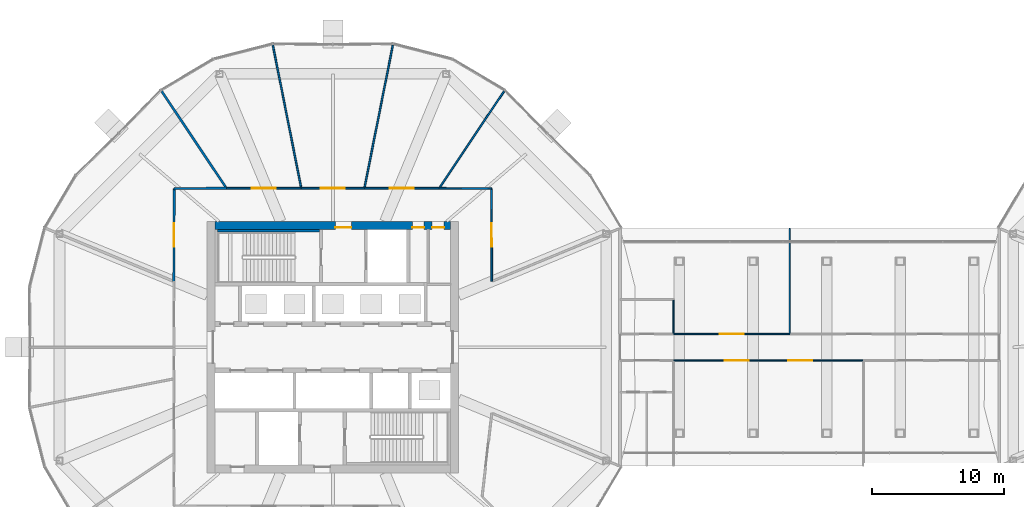
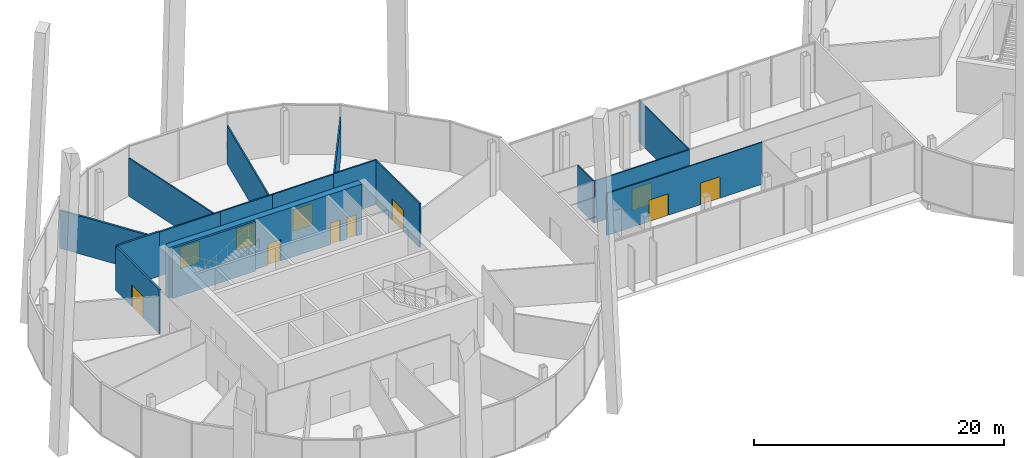
# One storey, part 21 of 28: 17 walls, 11 doors, 11 openings.
"""IFC4 building model written with IfcOpenShell, lengths in metres."""

from ifc_helpers import new_model, si_unit, direction, frame, frame_2d, origin, place, context, subcontext, project, spatial, rectangle, extrude, material, layer, layer_set, type_object, element, fill, save


model = new_model("IFC4")

# Units and contexts
model_context = context("Model", 3, precision=1e-05, world=origin(), true_north=direction((0.0, 1.0)))
body_context = subcontext(model_context, "Body", "Model", "MODEL_VIEW")
ifc_project = project(units=[si_unit("LENGTHUNIT", "METRE"), si_unit("AREAUNIT", "SQUARE_METRE"), si_unit("VOLUMEUNIT", "CUBIC_METRE"), si_unit("PLANEANGLEUNIT", "RADIAN"), si_unit("MASSUNIT", "GRAM", prefix="KILO")], contexts=[model_context])

# Site, building, storey
site_placement = place(None, origin())
site = spatial("IfcSite", under=ifc_project, at=site_placement, CompositionType="ELEMENT")
building_placement = place(site_placement, origin())
building = spatial("IfcBuilding", under=site, at=building_placement, Name="Ogive Gate Towers", CompositionType="ELEMENT")
storey_placement = place(building_placement, frame((0.0, 0.0, 135.60009765625)))
storey = spatial("IfcBuildingStorey", under=building, at=storey_placement, Name="L32", CompositionType="ELEMENT", Elevation=135.60009765625)

# Wall
ifc_material_1 = material(Name="Gypsum board acoustic partition")
ifc_layer_1 = layer(ifc_material_1, 0.175048828125)
ifc_layer_set_1 = layer_set([ifc_layer_1], Name="Acoustic partition 175")
wall_type_1 = type_object("IfcWallType", Name="Acoustic partition 175", PredefinedType="PARTITIONING", material=ifc_layer_set_1)
wall_1_placement = place(storey_placement, frame((-48.934326171875, 19.343505859375, 0.0), z_axis=(0.0, 0.0, 1.0), x_axis=(0.555866214077, -0.831271767864, 0.0)))
element("IfcWall", 1, at=wall_1_placement, inside=storey, type_object=wall_type_1, Name="Partition T1-L32-005", PredefinedType="PARTITIONING", context=body_context, shape_type="SweptSolid", body=[
    extrude(rectangle(XDim=8.741455078125, YDim=0.175048828125, at=frame_2d((4.37060546875, 0.0))), origin(), (0.0, 0.0, 1.0), 3.699951171875),
])

# Wall, opening, door
wall_2_placement = place(storey_placement, frame((-47.97998046875, 11.97998046875, 0.0), z_axis=(0.0, 0.0, 1.0), x_axis=(-0.00316994262, -0.999994975719, 0.0)))
wall_2 = element("IfcWall", 2, at=wall_2_placement, inside=storey, type_object=wall_type_1, Name="Partition T1-L32-021", PredefinedType="PARTITIONING", context=body_context, shape_type="SweptSolid", body=[
    extrude(rectangle(XDim=7.008544921875, YDim=0.175048828125, at=frame_2d((3.50439453125, 0.0))), origin(), (0.0, 0.0, 1.0), 4.2998046875),
])
opening_1_placement = place(wall_2_placement, frame((2.60400390625, 0.0, 0.0)))
opening_1 = element("IfcOpeningElement", 3, at=opening_1_placement, cuts=wall_2, Name="Opening T1-L32-D05", PredefinedType="OPENING", context=body_context, shape_type="SweptSolid", body=[
    extrude(rectangle(XDim=1.800048828125, YDim=2.10009765625, at=frame_2d((0.89990234375, 1.050048828125))), frame((0.0, 0.09765625, 0.0), z_axis=(0.0, -1.0, 0.0), x_axis=(1.0, 0.0, 0.0)), (0.0, 0.0, 1.0), 0.195068359375),
])
ifc_material_2 = material(Name="Timber door", Category="wood")
door_type_1 = type_object("IfcDoorType", Name="Door pair 1800", OperationType="NOTDEFINED", PredefinedType="DOOR", material=ifc_material_2)
door_1_placement = place(opening_1_placement, origin())
door_1 = element("IfcDoor", 4, at=door_1_placement, inside=storey, type_object=door_type_1, Name="Door T1-L32-D05", OperationType="DOUBLE_DOOR_DOUBLE_SWING", OverallHeight=2.10009765625, OverallWidth=1.800048828125, PredefinedType="DOOR", context=body_context, shape_type="SweptSolid", body=[
    extrude(rectangle(XDim=1.800048828125, YDim=2.10009765625, at=frame_2d((0.89990234375, 1.050048828125))), frame((0.0, 0.02490234375, 0.0), z_axis=(0.0, -1.0, 0.0), x_axis=(1.0, 0.0, 0.0)), (0.0, 0.0, 1.0), 0.050048828125),
])
fill(opening_1, door_1)

# Wall
wall_3_placement = place(storey_placement, frame((-44.026611328125, 12.004150390625, 0.0), z_axis=(0.0, 0.0, 1.0), x_axis=(-0.999981311537, -0.0061136386, 0.0)))
element("IfcWall", 5, at=wall_3_placement, inside=storey, type_object=wall_type_1, Name="Partition T1-L32-022", PredefinedType="PARTITIONING", context=body_context, shape_type="SweptSolid", body=[
    extrude(rectangle(XDim=3.953369140625, YDim=0.175048828125, at=frame_2d((1.9765625, 0.0))), origin(), (0.0, 0.0, 1.0), 4.349853515625),
])

# Wall, openings, doors
ifc_material_3 = material(Name="Concrete C60/75", Category="concrete")
ifc_layer_2 = layer(ifc_material_3, 0.60009765625)
ifc_layer_set_2 = layer_set([ifc_layer_2], Name="Core wall 600 mm")
wall_type_2 = type_object("IfcWallType", Name="Core wall 600 mm", PredefinedType="SHEAR", material=ifc_layer_set_2)
wall_4_placement = place(storey_placement, frame((-44.89990234375, 9.199951171875, 0.0), z_axis=(0.0, 0.0, 1.0), x_axis=(1.0, 0.0, 0.0)))
wall_4 = element("IfcWall", 6, at=wall_4_placement, inside=storey, type_object=wall_type_2, Name="T1 L32 Core wall 600 mm", PredefinedType="SHEAR", context=body_context, shape_type="SweptSolid", body=[
    extrude(rectangle(XDim=17.7998046875, YDim=0.60009765625, at=frame_2d((8.89990234375, 0.0))), origin(), (0.0, 0.0, 1.0), 4.89990234375),
])
opening_2_placement = place(wall_4_placement, frame((9.10009765625, 0.0, 0.0)))
opening_2 = element("IfcOpeningElement", 7, at=opening_2_placement, cuts=wall_4, Name="Opening KD-T1-L32-20", PredefinedType="OPENING", context=body_context, shape_type="SweptSolid", body=[
    extrude(rectangle(XDim=1.199951171875, YDim=2.10009765625, at=frame_2d((0.60009765625, 1.050048828125))), frame((0.0, 0.31005859375, 0.0), z_axis=(0.0, -1.0, 0.0), x_axis=(1.0, 0.0, 0.0)), (0.0, 0.0, 1.0), 0.6201171875),
])
opening_3_placement = place(wall_4_placement, frame((14.89990234375, 0.0, 0.0)))
opening_3 = element("IfcOpeningElement", 8, at=opening_3_placement, cuts=wall_4, Name="Opening KD-T1-L32-22", PredefinedType="OPENING", context=body_context, shape_type="SweptSolid", body=[
    extrude(rectangle(XDim=0.89990234375, YDim=2.10009765625, at=frame_2d((0.449951171875, 1.050048828125))), frame((0.0, 0.31005859375, 0.0), z_axis=(0.0, -1.0, 0.0), x_axis=(1.0, 0.0, 0.0)), (0.0, 0.0, 1.0), 0.6201171875),
])
opening_4_placement = place(wall_4_placement, frame((16.39990234375, 0.0, 0.0)))
opening_4 = element("IfcOpeningElement", 9, at=opening_4_placement, cuts=wall_4, Name="Opening KD-T1-L32-23", PredefinedType="OPENING", context=body_context, shape_type="SweptSolid", body=[
    extrude(rectangle(XDim=0.89990234375, YDim=2.10009765625, at=frame_2d((0.449951171875, 1.050048828125))), frame((0.0, 0.31005859375, 0.0), z_axis=(0.0, -1.0, 0.0), x_axis=(1.0, 0.0, 0.0)), (0.0, 0.0, 1.0), 0.6201171875),
])
door_type_2 = type_object("IfcDoorType", Name="Core WC door 900 x 2100", OperationType="NOTDEFINED", PredefinedType="DOOR", material=ifc_material_2)
door_2_placement = place(opening_3_placement, origin())
door_2 = element("IfcDoor", 10, at=door_2_placement, inside=storey, type_object=door_type_2, Name="T1 L32 Core door", OperationType="SINGLE_SWING_LEFT", OverallHeight=2.10009765625, OverallWidth=0.89990234375, PredefinedType="DOOR", context=body_context, shape_type="SweptSolid", body=[
    extrude(rectangle(XDim=0.89990234375, YDim=2.10009765625, at=frame_2d((0.449951171875, 1.050048828125))), frame((0.0, -0.125, 0.0), z_axis=(0.0, -1.0, 0.0), x_axis=(1.0, 0.0, 0.0)), (0.0, 0.0, 1.0), 0.050048828125),
])
fill(opening_3, door_2)
door_3_placement = place(opening_4_placement, origin())
door_3 = element("IfcDoor", 11, at=door_3_placement, inside=storey, type_object=door_type_2, Name="T1 L32 Core door", OperationType="SINGLE_SWING_RIGHT", OverallHeight=2.10009765625, OverallWidth=0.89990234375, PredefinedType="DOOR", context=body_context, shape_type="SweptSolid", body=[
    extrude(rectangle(XDim=0.89990234375, YDim=2.10009765625, at=frame_2d((0.449951171875, 1.050048828125))), frame((0.0, -0.125, 0.0), z_axis=(0.0, -1.0, 0.0), x_axis=(1.0, 0.0, 0.0)), (0.0, 0.0, 1.0), 0.050048828125),
])
fill(opening_4, door_3)
ifc_material_4 = material(Name="Steel fire door", Category="steel")
door_type_3 = type_object("IfcDoorType", Name="Core door FD60S 1200 x 2100", OperationType="NOTDEFINED", PredefinedType="DOOR", material=ifc_material_4)
door_4_placement = place(opening_2_placement, origin())
door_4 = element("IfcDoor", 12, at=door_4_placement, inside=storey, type_object=door_type_3, Name="T1 L32 Fire-fighting lobby door", OperationType="SINGLE_SWING_LEFT", OverallHeight=2.10009765625, OverallWidth=1.199951171875, PredefinedType="DOOR", context=body_context, shape_type="SweptSolid", body=[
    extrude(rectangle(XDim=1.199951171875, YDim=2.10009765625, at=frame_2d((0.60009765625, 1.050048828125))), frame((0.0, -0.125, 0.0), z_axis=(0.0, -1.0, 0.0), x_axis=(1.0, 0.0, 0.0)), (0.0, 0.0, 1.0), 0.050048828125),
])
fill(opening_2, door_4)

# Walls
ifc_material_5 = material(Name="Gypsum board partition")
ifc_layer_3 = layer(ifc_material_5, 0.125)
ifc_layer_set_3 = layer_set([ifc_layer_3], Name="Partition 125")
wall_type_3 = type_object("IfcWallType", Name="Partition 125", PredefinedType="PARTITIONING", material=ifc_layer_set_3)
wall_5_placement = place(storey_placement, frame((-23.065673828125, 19.343505859375, 0.0), z_axis=(0.0, 0.0, 1.0), x_axis=(-0.555869313022, -0.831269695611, 0.0)))
element("IfcWall", 13, at=wall_5_placement, inside=storey, type_object=wall_type_3, Name="Partition T1-L32-002", PredefinedType="PARTITIONING", context=body_context, shape_type="SweptSolid", body=[
    extrude(rectangle(XDim=8.7666015625, YDim=0.125, at=frame_2d((4.38330078125, 0.0))), origin(), (0.0, 0.0, 1.0), 3.699951171875),
])
for number, where, z_axis, x_axis, name in (
    (14, (-31.468017578125, 22.823974609375, 0.0), (0.0, 0.0, 1.0), (-0.194750240969, -0.98085286544, 0.0), "Partition T1-L32-003"),
    (15, (-40.531982421875, 22.823974609375, 0.0), (0.0, 0.0, 1.0), (0.194750240969, -0.98085286544, 0.0), "Partition T1-L32-004"),
):
    element("IfcWall", number, at=place(storey_placement, frame(where, z_axis=z_axis, x_axis=x_axis)), inside=storey, type_object=wall_type_3, Name=name, PredefinedType="PARTITIONING", context=body_context, shape_type="SweptSolid", body=[
        extrude(rectangle(XDim=10.966552734375, YDim=0.125, at=frame_2d((5.4833984375, 0.0))), origin(), (0.0, 0.0, 1.0), 3.699951171875),
    ])

# Wall, opening, door
wall_6_placement = place(storey_placement, frame((-23.997802734375, 4.971435546875, 0.0), z_axis=(0.0, 0.0, 1.0), x_axis=(-0.00316994262, 0.999994975719, 0.0)))
wall_6 = element("IfcWall", 16, at=wall_6_placement, inside=storey, type_object=wall_type_3, Name="Partition T1-L32-016", PredefinedType="PARTITIONING", context=body_context, shape_type="SweptSolid", body=[
    extrude(rectangle(XDim=7.008544921875, YDim=0.125, at=frame_2d((3.50439453125, 0.0))), origin(), (0.0, 0.0, 1.0), 4.2998046875),
])
opening_5_placement = place(wall_6_placement, frame((2.60400390625, 0.0, 0.0)))
opening_5 = element("IfcOpeningElement", 17, at=opening_5_placement, cuts=wall_6, Name="Opening T1-L32-D01", PredefinedType="OPENING", context=body_context, shape_type="SweptSolid", body=[
    extrude(rectangle(XDim=1.800048828125, YDim=2.10009765625, at=frame_2d((0.89990234375, 1.050048828125))), frame((0.0, 0.072509765625, 0.0), z_axis=(0.0, -1.0, 0.0), x_axis=(1.0, 0.0, 0.0)), (0.0, 0.0, 1.0), 0.14501953125),
])
door_5_placement = place(opening_5_placement, origin())
door_5 = element("IfcDoor", 18, at=door_5_placement, inside=storey, type_object=door_type_1, Name="Door T1-L32-D01", OperationType="DOUBLE_DOOR_DOUBLE_SWING", OverallHeight=2.10009765625, OverallWidth=1.800048828125, PredefinedType="DOOR", context=body_context, shape_type="SweptSolid", body=[
    extrude(rectangle(XDim=1.800048828125, YDim=2.10009765625, at=frame_2d((0.89990234375, 1.050048828125))), frame((0.0, 0.02490234375, 0.0), z_axis=(0.0, -1.0, 0.0), x_axis=(1.0, 0.0, 0.0)), (0.0, 0.0, 1.0), 0.050048828125),
])
fill(opening_5, door_5)

# Wall
wall_7_placement = place(storey_placement, frame((-24.02001953125, 11.97998046875, 0.0), z_axis=(0.0, 0.0, 1.0), x_axis=(-0.999981311537, 0.0061136386, 0.0)))
element("IfcWall", 19, at=wall_7_placement, inside=storey, type_object=wall_type_3, Name="Partition T1-L32-017", PredefinedType="PARTITIONING", context=body_context, shape_type="SweptSolid", body=[
    extrude(rectangle(XDim=3.953369140625, YDim=0.125, at=frame_2d((1.9765625, 0.0))), origin(), (0.0, 0.0, 1.0), 4.349853515625),
])

# Wall, opening, door
wall_8_placement = place(storey_placement, frame((-27.973388671875, 12.004150390625, 0.0), z_axis=(0.0, 0.0, 1.0), x_axis=(-0.999999940093, 0.000346140512, 0.0)))
wall_8 = element("IfcWall", 20, at=wall_8_placement, inside=storey, type_object=wall_type_3, Name="Partition T1-L32-018", PredefinedType="PARTITIONING", context=body_context, shape_type="SweptSolid", body=[
    extrude(rectangle(XDim=5.642578125, YDim=0.125, at=frame_2d((2.8212890625, 0.0))), origin(), (0.0, 0.0, 1.0), 4.2998046875),
])
opening_6_placement = place(wall_8_placement, frame((1.9208984375, 0.0, 0.0)))
opening_6 = element("IfcOpeningElement", 21, at=opening_6_placement, cuts=wall_8, Name="Opening T1-L32-D02", PredefinedType="OPENING", context=body_context, shape_type="SweptSolid", body=[
    extrude(rectangle(XDim=1.800048828125, YDim=2.10009765625, at=frame_2d((0.89990234375, 1.050048828125))), frame((0.0, 0.072509765625, 0.0), z_axis=(0.0, -1.0, 0.0), x_axis=(1.0, 0.0, 0.0)), (0.0, 0.0, 1.0), 0.14501953125),
])
door_6_placement = place(opening_6_placement, origin())
door_6 = element("IfcDoor", 22, at=door_6_placement, inside=storey, type_object=door_type_1, Name="Door T1-L32-D02", OperationType="DOUBLE_DOOR_DOUBLE_SWING", OverallHeight=2.10009765625, OverallWidth=1.800048828125, PredefinedType="DOOR", context=body_context, shape_type="SweptSolid", body=[
    extrude(rectangle(XDim=1.800048828125, YDim=2.10009765625, at=frame_2d((0.89990234375, 1.050048828125))), frame((0.0, 0.02490234375, 0.0), z_axis=(0.0, -1.0, 0.0), x_axis=(1.0, 0.0, 0.0)), (0.0, 0.0, 1.0), 0.050048828125),
])
fill(opening_6, door_6)

wall_9_placement = place(storey_placement, frame((-33.615966796875, 12.006103515625, 0.0), z_axis=(0.0, 0.0, 1.0), x_axis=(-1.0, 0.0, 0.0)))
wall_9 = element("IfcWall", 23, at=wall_9_placement, inside=storey, type_object=wall_type_3, Name="Partition T1-L32-019", PredefinedType="PARTITIONING", context=body_context, shape_type="SweptSolid", body=[
    extrude(rectangle(XDim=4.76806640625, YDim=0.125, at=frame_2d((2.384033203125, 0.0))), origin(), (0.0, 0.0, 1.0), 4.2998046875),
])
opening_7_placement = place(wall_9_placement, frame((1.48388671875, 0.0, 0.0)))
opening_7 = element("IfcOpeningElement", 24, at=opening_7_placement, cuts=wall_9, Name="Opening T1-L32-D03", PredefinedType="OPENING", context=body_context, shape_type="SweptSolid", body=[
    extrude(rectangle(XDim=1.800048828125, YDim=2.10009765625, at=frame_2d((0.89990234375, 1.050048828125))), frame((0.0, 0.072509765625, 0.0), z_axis=(0.0, -1.0, 0.0), x_axis=(1.0, 0.0, 0.0)), (0.0, 0.0, 1.0), 0.14501953125),
])
door_7_placement = place(opening_7_placement, origin())
door_7 = element("IfcDoor", 25, at=door_7_placement, inside=storey, type_object=door_type_1, Name="Door T1-L32-D03", OperationType="DOUBLE_DOOR_DOUBLE_SWING", OverallHeight=2.10009765625, OverallWidth=1.800048828125, PredefinedType="DOOR", context=body_context, shape_type="SweptSolid", body=[
    extrude(rectangle(XDim=1.800048828125, YDim=2.10009765625, at=frame_2d((0.89990234375, 1.050048828125))), frame((0.0, 0.02490234375, 0.0), z_axis=(0.0, -1.0, 0.0), x_axis=(1.0, 0.0, 0.0)), (0.0, 0.0, 1.0), 0.050048828125),
])
fill(opening_7, door_7)

wall_10_placement = place(storey_placement, frame((-38.384033203125, 12.006103515625, 0.0), z_axis=(0.0, 0.0, 1.0), x_axis=(-0.999999940093, -0.000346140512, 0.0)))
wall_10 = element("IfcWall", 26, at=wall_10_placement, inside=storey, type_object=wall_type_3, Name="Partition T1-L32-020", PredefinedType="PARTITIONING", context=body_context, shape_type="SweptSolid", body=[
    extrude(rectangle(XDim=5.642578125, YDim=0.125, at=frame_2d((2.8212890625, 0.0))), origin(), (0.0, 0.0, 1.0), 4.2998046875),
])
opening_8_placement = place(wall_10_placement, frame((1.9208984375, 0.0, 0.0)))
opening_8 = element("IfcOpeningElement", 27, at=opening_8_placement, cuts=wall_10, Name="Opening T1-L32-D04", PredefinedType="OPENING", context=body_context, shape_type="SweptSolid", body=[
    extrude(rectangle(XDim=1.800048828125, YDim=2.10009765625, at=frame_2d((0.89990234375, 1.050048828125))), frame((0.0, 0.072509765625, 0.0), z_axis=(0.0, -1.0, 0.0), x_axis=(1.0, 0.0, 0.0)), (0.0, 0.0, 1.0), 0.14501953125),
])
door_8_placement = place(opening_8_placement, origin())
door_8 = element("IfcDoor", 28, at=door_8_placement, inside=storey, type_object=door_type_1, Name="Door T1-L32-D04", OperationType="DOUBLE_DOOR_DOUBLE_SWING", OverallHeight=2.10009765625, OverallWidth=1.800048828125, PredefinedType="DOOR", context=body_context, shape_type="SweptSolid", body=[
    extrude(rectangle(XDim=1.800048828125, YDim=2.10009765625, at=frame_2d((0.89990234375, 1.050048828125))), frame((0.0, 0.02490234375, 0.0), z_axis=(0.0, -1.0, 0.0), x_axis=(1.0, 0.0, 0.0)), (0.0, 0.0, 1.0), 0.050048828125),
])
fill(opening_8, door_8)

ifc_layer_4 = layer(ifc_material_5, 0.10009765625)
ifc_layer_set_4 = layer_set([ifc_layer_4], Name="Partition wall 100")
wall_type_4 = type_object("IfcWallType", Name="Partition wall 100", PredefinedType="PARTITIONING", material=ifc_layer_set_4)
wall_11_placement = place(storey_placement, frame((-10.280517578125, 1.0, 0.0), z_axis=(0.0, 0.0, 1.0), x_axis=(1.0, 0.0, 0.0)))
wall_11 = element("IfcWall", 29, at=wall_11_placement, inside=storey, type_object=wall_type_4, Name="L32 partition 003", PredefinedType="PARTITIONING", context=body_context, shape_type="SweptSolid", body=[
    extrude(rectangle(XDim=8.78466796875, YDim=0.10009765625, at=frame_2d((4.392333984375, 0.0))), origin(), (0.0, 0.0, 1.0), 4.099853515625),
])
opening_9_placement = place(wall_11_placement, frame((3.492431640625, 0.0, 0.0)))
opening_9 = element("IfcOpeningElement", 30, at=opening_9_placement, cuts=wall_11, Name="Opening PO219", PredefinedType="OPENING", context=body_context, shape_type="SweptSolid", body=[
    extrude(rectangle(XDim=1.800048828125, YDim=2.10009765625, at=frame_2d((0.89990234375, 1.050048828125))), frame((0.0, 0.06005859375, 0.0), z_axis=(0.0, -1.0, 0.0), x_axis=(1.0, 0.0, 0.0)), (0.0, 0.0, 1.0), 0.1201171875),
])
door_type_4 = type_object("IfcDoorType", Name="Double door 1800 x 2100", OperationType="NOTDEFINED", PredefinedType="DOOR", material=ifc_material_2)
door_9_placement = place(opening_9_placement, origin())
door_9 = element("IfcDoor", 31, at=door_9_placement, inside=storey, type_object=door_type_4, Name="Door PO219", OperationType="DOUBLE_DOOR_DOUBLE_SWING", OverallHeight=2.10009765625, OverallWidth=1.800048828125, PredefinedType="DOOR", context=body_context, shape_type="SweptSolid", body=[
    extrude(rectangle(XDim=1.800048828125, YDim=2.10009765625, at=frame_2d((0.89990234375, 1.050048828125))), frame((0.0, 0.02490234375, 0.0), z_axis=(0.0, -1.0, 0.0), x_axis=(1.0, 0.0, 0.0)), (0.0, 0.0, 1.0), 0.050048828125),
])
fill(opening_9, door_9)

# Wall, openings, doors
wall_12_placement = place(storey_placement, frame((-10.280517578125, -1.0, 0.0), z_axis=(0.0, 0.0, 1.0), x_axis=(1.0, 0.0, 0.0)))
wall_12 = element("IfcWall", 32, at=wall_12_placement, inside=storey, type_object=wall_type_4, Name="L32 partition 005", PredefinedType="PARTITIONING", context=body_context, shape_type="SweptSolid", body=[
    extrude(rectangle(XDim=14.34130859375, YDim=0.10009765625, at=frame_2d((7.170654296875, 0.0))), origin(), (0.0, 0.0, 1.0), 4.099853515625),
])
opening_10_placement = place(wall_12_placement, frame((3.88232421875, 0.0, 0.0)))
opening_10 = element("IfcOpeningElement", 33, at=opening_10_placement, cuts=wall_12, Name="Opening PO222", PredefinedType="OPENING", context=body_context, shape_type="SweptSolid", body=[
    extrude(rectangle(XDim=1.800048828125, YDim=2.10009765625, at=frame_2d((0.89990234375, 1.050048828125))), frame((0.0, 0.06005859375, 0.0), z_axis=(0.0, -1.0, 0.0), x_axis=(1.0, 0.0, 0.0)), (0.0, 0.0, 1.0), 0.1201171875),
])
opening_11_placement = place(wall_12_placement, frame((8.65869140625, 0.0, 0.0)))
opening_11 = element("IfcOpeningElement", 34, at=opening_11_placement, cuts=wall_12, Name="Opening PO223", PredefinedType="OPENING", context=body_context, shape_type="SweptSolid", body=[
    extrude(rectangle(XDim=1.800048828125, YDim=2.10009765625, at=frame_2d((0.89990234375, 1.050048828125))), frame((0.0, 0.06005859375, 0.0), z_axis=(0.0, -1.0, 0.0), x_axis=(1.0, 0.0, 0.0)), (0.0, 0.0, 1.0), 0.1201171875),
])
door_10_placement = place(opening_10_placement, origin())
door_10 = element("IfcDoor", 35, at=door_10_placement, inside=storey, type_object=door_type_4, Name="Door PO222", OperationType="DOUBLE_DOOR_DOUBLE_SWING", OverallHeight=2.10009765625, OverallWidth=1.800048828125, PredefinedType="DOOR", context=body_context, shape_type="SweptSolid", body=[
    extrude(rectangle(XDim=1.800048828125, YDim=2.10009765625, at=frame_2d((0.89990234375, 1.050048828125))), frame((0.0, 0.02490234375, 0.0), z_axis=(0.0, -1.0, 0.0), x_axis=(1.0, 0.0, 0.0)), (0.0, 0.0, 1.0), 0.050048828125),
])
fill(opening_10, door_10)
door_11_placement = place(opening_11_placement, origin())
door_11 = element("IfcDoor", 36, at=door_11_placement, inside=storey, type_object=door_type_4, Name="Door PO223", OperationType="DOUBLE_DOOR_DOUBLE_SWING", OverallHeight=2.10009765625, OverallWidth=1.800048828125, PredefinedType="DOOR", context=body_context, shape_type="SweptSolid", body=[
    extrude(rectangle(XDim=1.800048828125, YDim=2.10009765625, at=frame_2d((0.89990234375, 1.050048828125))), frame((0.0, 0.02490234375, 0.0), z_axis=(0.0, -1.0, 0.0), x_axis=(1.0, 0.0, 0.0)), (0.0, 0.0, 1.0), 0.050048828125),
])
fill(opening_11, door_11)

# Walls
wall_13_placement = place(storey_placement, frame((-10.280517578125, 1.050048828125, 0.0), z_axis=(0.0, 0.0, 1.0), x_axis=(0.0, 1.0, 0.0)))
element("IfcWall", 37, at=wall_13_placement, inside=storey, type_object=wall_type_4, Name="L32 partition 013", PredefinedType="PARTITIONING", context=body_context, shape_type="SweptSolid", body=[
    extrude(rectangle(XDim=2.5, YDim=0.10009765625, at=frame_2d((1.25, 0.0))), origin(), (0.0, 0.0, 1.0), 4.099853515625),
])
wall_14_placement = place(storey_placement, frame((-1.495849609375, 1.050048828125, 0.0), z_axis=(0.0, 0.0, 1.0), x_axis=(0.0, 1.0, 0.0)))
element("IfcWall", 38, at=wall_14_placement, inside=storey, type_object=wall_type_4, Name="L32 partition 014", PredefinedType="PARTITIONING", context=body_context, shape_type="SweptSolid", body=[
    extrude(rectangle(XDim=7.931640625, YDim=0.10009765625, at=frame_2d((3.9658203125, 0.0))), origin(), (0.0, 0.0, 1.0), 4.099853515625),
])
ifc_layer_5 = layer(ifc_material_3, 0.199951171875)
ifc_layer_set_5 = layer_set([ifc_layer_5], Name="Stair wall 200 mm")
wall_type_5 = type_object("IfcWallType", Name="Stair wall 200 mm", PredefinedType="SHEAR", material=ifc_layer_set_5)
wall_15_placement = place(storey_placement, frame((-44.699951171875, 8.800048828125, 0.0), z_axis=(0.0, 0.0, 1.0), x_axis=(1.0, 0.0, 0.0)))
element("IfcWall", 39, at=wall_15_placement, inside=storey, type_object=wall_type_5, Name="T1 L32 Stair wall 200 mm", PredefinedType="SHEAR", context=body_context, shape_type="SweptSolid", body=[
    extrude(rectangle(XDim=7.675048828125, YDim=0.199951171875, at=frame_2d((3.83740234375, 0.0))), origin(), (0.0, 0.0, 1.0), 4.89990234375),
])

save(model, "model.ifc")
